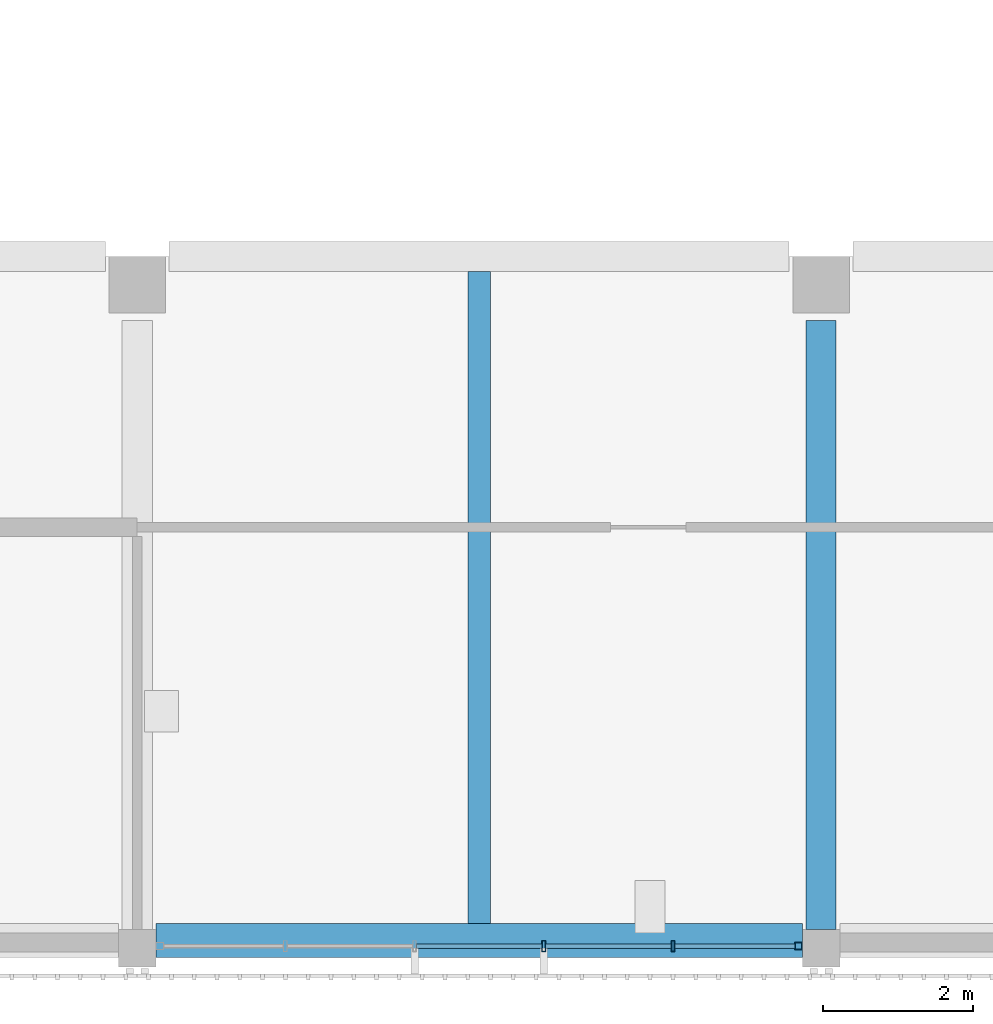
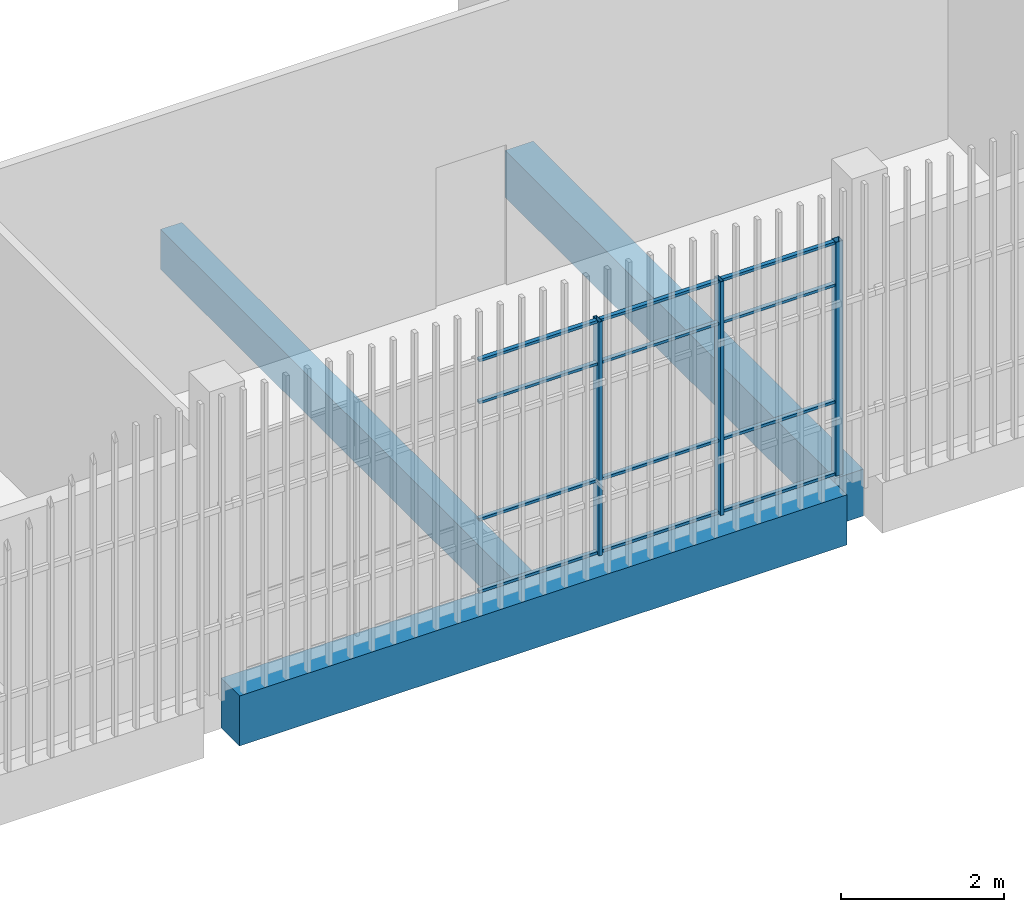
# One storey, part 26 of 124: 15 members, 3 beams, 1 element without a shape of its own.
"""IFC4 building model written with IfcOpenShell, lengths in metres."""

from ifc_helpers import new_model, si_unit, direction, frame, origin, origin_2d, place, context, subcontext, project, spatial, rectangle, hollow_rectangle, extrude, material, layer, layer_set, material_profile, profile_set, type_object, element, aggregate, save


model = new_model("IFC4")

# Units and contexts
model_context = context("Model", 3, precision=1e-05, world=origin(), true_north=direction((0.0, 1.0)))
body_context = subcontext(model_context, "Body", "Model", "MODEL_VIEW")
ifc_project = project(units=[si_unit("LENGTHUNIT", "METRE"), si_unit("AREAUNIT", "SQUARE_METRE"), si_unit("VOLUMEUNIT", "CUBIC_METRE"), si_unit("PLANEANGLEUNIT", "RADIAN"), si_unit("MASSUNIT", "GRAM", prefix="KILO")], contexts=[model_context])

# Site, building, storey
site_placement = place(None, origin())
site = spatial("IfcSite", under=ifc_project, at=site_placement, CompositionType="ELEMENT")
building_placement = place(site_placement, origin())
building = spatial("IfcBuilding", under=site, at=building_placement, Name="Shirokan Park Arena", CompositionType="ELEMENT")
storey_placement = place(building_placement, frame((0.0, 0.0, 20.02001953125)))
storey = spatial("IfcBuildingStorey", under=building, at=storey_placement, Name="L04", CompositionType="ELEMENT", Elevation=20.02001953125)

# Curtain wall, members
ifc_material_1 = material(Name="Steel and glass curtain wall", Category="steel")
ifc_layer = layer(ifc_material_1, 0.14990234375)
ifc_layer_set = layer_set([ifc_layer], Name="Steel and glass curtain wall 150 mm")
curtain_wall_type = type_object("IfcCurtainWallType", Name="Curtain wall exposed bay 150", PredefinedType="NOTDEFINED", material=ifc_layer_set)
curtain_wall_placement = place(storey_placement, origin())
curtain_wall = element("IfcCurtainWall", 1, at=curtain_wall_placement, inside=storey, type_object=curtain_wall_type, Name="Curtain wall south bay 11 L04", PredefinedType="NOTDEFINED")
ifc_material_2 = material(Name="Steel S355", Category="steel")
ifc_material_profile_1 = material_profile(ifc_material_2, hollow_rectangle(XDim=0.10009765625, YDim=0.10009765625, WallThickness=0.006103515625, at=origin_2d()), Name="RHS 100x100x6")
ifc_profile_set_1 = profile_set([ifc_material_profile_1], Name="Steel S355")
member_type_1 = type_object("IfcMemberType", Name="Mullion RHS 100x100x6", PredefinedType="MULLION", material=ifc_profile_set_1)
member_1_placement = place(storey_placement, frame((99.800048828125, -0.074951171875, 0.0), z_axis=(0.0, 0.0, 1.0), x_axis=(0.0, 1.0, 0.0)))
member_1 = element("IfcMember", 2, at=member_1_placement, type_object=member_type_1, Name="CW1 mullion 6", PredefinedType="MULLION", context=body_context, shape_type="SweptSolid", body=[
    extrude(hollow_rectangle(XDim=0.10009765625, YDim=0.10009765625, WallThickness=0.006103515625, at=origin_2d()), origin(), (0.0, 0.0, 1.0), 3.5),
])
ifc_material_profile_2 = material_profile(ifc_material_2, hollow_rectangle(XDim=0.14990234375, YDim=0.050048828125, WallThickness=0.006103515625, at=origin_2d()), Name="RHS 150x50x6")
ifc_profile_set_2 = profile_set([ifc_material_profile_2], Name="Steel S355")
member_type_2 = type_object("IfcMemberType", Name="Mullion RHS 150x50x6", PredefinedType="MULLION", material=ifc_profile_set_2)
member_2_placement = place(storey_placement, frame((96.409912109375, -0.074951171875, 0.0), z_axis=(0.0, 0.0, 1.0), x_axis=(0.0, 1.0, 0.0)))
member_2 = element("IfcMember", 3, at=member_2_placement, type_object=member_type_2, Name="CW1 mullion 4", PredefinedType="MULLION", context=body_context, shape_type="SweptSolid", body=[
    extrude(hollow_rectangle(XDim=0.14990234375, YDim=0.050048828125, WallThickness=0.006103515625, at=origin_2d()), origin(), (0.0, 0.0, 1.0), 3.5),
])
member_3_placement = place(storey_placement, frame((98.1298828125, -0.074951171875, 0.0), z_axis=(0.0, 0.0, 1.0), x_axis=(0.0, 1.0, 0.0)))
member_3 = element("IfcMember", 4, at=member_3_placement, type_object=member_type_2, Name="CW1 mullion 5", PredefinedType="MULLION", context=body_context, shape_type="SweptSolid", body=[
    extrude(hollow_rectangle(XDim=0.14990234375, YDim=0.050048828125, WallThickness=0.006103515625, at=origin_2d()), origin(), (0.0, 0.0, 1.0), 3.5),
])

# Beams
ifc_material_3 = material(Name="Concrete C35", Category="concrete")
ifc_material_profile_3 = material_profile(ifc_material_3, rectangle(XDim=0.39990234375, YDim=0.699951171875, at=origin_2d()), Name="400x700")
ifc_profile_set_3 = profile_set([ifc_material_profile_3], Name="Concrete C35")
beam_type_1 = type_object("IfcBeamType", Name="RC girder 400x700", PredefinedType="BEAM", material=ifc_profile_set_3)
beam_1_placement = place(storey_placement, frame((100.10009765625, 0.150146484375, -0.60009765625), z_axis=(0.0, 1.0, 0.0), x_axis=(-1.0, 0.0, 0.0)))
element("IfcBeam", 5, at=beam_1_placement, inside=storey, type_object=beam_type_1, Name="Girder 12A-12B L04", PredefinedType="BEAM", context=body_context, shape_type="SweptSolid", body=[
    extrude(rectangle(XDim=0.39990234375, YDim=0.699951171875, at=origin_2d()), origin(), (0.0, 0.0, 1.0), 8.099853515625),
])
ifc_material_profile_4 = material_profile(ifc_material_3, rectangle(XDim=0.449951171875, YDim=0.75, at=origin_2d()), Name="450x750")
ifc_profile_set_4 = profile_set([ifc_material_profile_4], Name="Concrete C35")
beam_type_2 = type_object("IfcBeamType", Name="RC girder 450x750", PredefinedType="BEAM", material=ifc_profile_set_4)
beam_2_placement = place(storey_placement, frame((91.25, 0.0, -0.625), z_axis=(1.0, 0.0, 0.0), x_axis=(0.0, 1.0, 0.0)))
element("IfcBeam", 6, at=beam_2_placement, inside=storey, type_object=beam_type_2, Name="Girder 11A-12A L04", PredefinedType="BEAM", context=body_context, shape_type="SweptSolid", body=[
    extrude(rectangle(XDim=0.449951171875, YDim=0.75, at=origin_2d()), origin(), (0.0, 0.0, 1.0), 8.599853515625),
])
ifc_material_profile_5 = material_profile(ifc_material_3, rectangle(XDim=0.300048828125, YDim=0.60009765625, at=origin_2d()), Name="300x600")
ifc_profile_set_5 = profile_set([ifc_material_profile_5], Name="Concrete C35")
beam_type_3 = type_object("IfcBeamType", Name="RC joist 300x600", PredefinedType="JOIST", material=ifc_profile_set_5)
beam_3_placement = place(storey_placement, frame((95.550048828125, 0.22509765625, -0.550048828125), z_axis=(0.0, 1.0, 0.0), x_axis=(-1.0, 0.0, 0.0)))
element("IfcBeam", 7, at=beam_3_placement, inside=storey, type_object=beam_type_3, Name="Joist 11A L04", PredefinedType="JOIST", context=body_context, shape_type="SweptSolid", body=[
    extrude(rectangle(XDim=0.300048828125, YDim=0.60009765625, at=origin_2d()), origin(), (0.0, 0.0, 1.0), 8.6748046875),
])

# Member
ifc_material_profile_6 = material_profile(ifc_material_2, hollow_rectangle(XDim=0.06005859375, YDim=0.0400390625, WallThickness=0.00390625, at=origin_2d()), Name="RHS 60x40x4")
ifc_profile_set_6 = profile_set([ifc_material_profile_6], Name="Steel S355")
member_type_3 = type_object("IfcMemberType", Name="Transom RHS 60x40x4", PredefinedType="MULLION", material=ifc_profile_set_6)
member_4_placement = place(storey_placement, frame((94.715087890625, -0.074951171875, 0.02001953125), z_axis=(1.0, 0.0, 0.0), x_axis=(0.0, 1.0, 0.0)))
member_4 = element("IfcMember", 8, at=member_4_placement, type_object=member_type_3, Name="CW1 transom 3.1", PredefinedType="MULLION", context=body_context, shape_type="SweptSolid", body=[
    extrude(hollow_rectangle(XDim=0.06005859375, YDim=0.0400390625, WallThickness=0.00390625, at=origin_2d()), origin(), (0.0, 0.0, 1.0), 1.669921875),
])

member_5_placement = place(storey_placement, frame((94.715087890625, -0.074951171875, 1.10009765625), z_axis=(1.0, 0.0, 0.0), x_axis=(0.0, 1.0, 0.0)))
member_5 = element("IfcMember", 9, at=member_5_placement, type_object=member_type_3, Name="CW1 transom 3.2", PredefinedType="MULLION", context=body_context, shape_type="SweptSolid", body=[
    extrude(hollow_rectangle(XDim=0.06005859375, YDim=0.0400390625, WallThickness=0.00390625, at=origin_2d()), origin(), (0.0, 0.0, 1.0), 1.669921875),
])

member_6_placement = place(storey_placement, frame((94.715087890625, -0.074951171875, 2.85009765625), z_axis=(1.0, 0.0, 0.0), x_axis=(0.0, 1.0, 0.0)))
member_6 = element("IfcMember", 10, at=member_6_placement, type_object=member_type_3, Name="CW1 transom 3.3", PredefinedType="MULLION", context=body_context, shape_type="SweptSolid", body=[
    extrude(hollow_rectangle(XDim=0.06005859375, YDim=0.0400390625, WallThickness=0.00390625, at=origin_2d()), origin(), (0.0, 0.0, 1.0), 1.669921875),
])

member_7_placement = place(storey_placement, frame((94.715087890625, -0.074951171875, 3.47998046875), z_axis=(1.0, 0.0, 0.0), x_axis=(0.0, 1.0, 0.0)))
member_7 = element("IfcMember", 11, at=member_7_placement, type_object=member_type_3, Name="CW1 transom 3.4", PredefinedType="MULLION", context=body_context, shape_type="SweptSolid", body=[
    extrude(hollow_rectangle(XDim=0.06005859375, YDim=0.0400390625, WallThickness=0.00390625, at=origin_2d()), origin(), (0.0, 0.0, 1.0), 1.669921875),
])

member_8_placement = place(storey_placement, frame((96.43505859375, -0.074951171875, 0.02001953125), z_axis=(1.0, 0.0, 0.0), x_axis=(0.0, 1.0, 0.0)))
member_8 = element("IfcMember", 12, at=member_8_placement, type_object=member_type_3, Name="CW1 transom 4.1", PredefinedType="MULLION", context=body_context, shape_type="SweptSolid", body=[
    extrude(hollow_rectangle(XDim=0.06005859375, YDim=0.0400390625, WallThickness=0.00390625, at=origin_2d()), origin(), (0.0, 0.0, 1.0), 1.669921875),
])

member_9_placement = place(storey_placement, frame((96.43505859375, -0.074951171875, 1.10009765625), z_axis=(1.0, 0.0, 0.0), x_axis=(0.0, 1.0, 0.0)))
member_9 = element("IfcMember", 13, at=member_9_placement, type_object=member_type_3, Name="CW1 transom 4.2", PredefinedType="MULLION", context=body_context, shape_type="SweptSolid", body=[
    extrude(hollow_rectangle(XDim=0.06005859375, YDim=0.0400390625, WallThickness=0.00390625, at=origin_2d()), origin(), (0.0, 0.0, 1.0), 1.669921875),
])

member_10_placement = place(storey_placement, frame((96.43505859375, -0.074951171875, 2.85009765625), z_axis=(1.0, 0.0, 0.0), x_axis=(0.0, 1.0, 0.0)))
member_10 = element("IfcMember", 14, at=member_10_placement, type_object=member_type_3, Name="CW1 transom 4.3", PredefinedType="MULLION", context=body_context, shape_type="SweptSolid", body=[
    extrude(hollow_rectangle(XDim=0.06005859375, YDim=0.0400390625, WallThickness=0.00390625, at=origin_2d()), origin(), (0.0, 0.0, 1.0), 1.669921875),
])

member_11_placement = place(storey_placement, frame((96.43505859375, -0.074951171875, 3.47998046875), z_axis=(1.0, 0.0, 0.0), x_axis=(0.0, 1.0, 0.0)))
member_11 = element("IfcMember", 15, at=member_11_placement, type_object=member_type_3, Name="CW1 transom 4.4", PredefinedType="MULLION", context=body_context, shape_type="SweptSolid", body=[
    extrude(hollow_rectangle(XDim=0.06005859375, YDim=0.0400390625, WallThickness=0.00390625, at=origin_2d()), origin(), (0.0, 0.0, 1.0), 1.669921875),
])

member_12_placement = place(storey_placement, frame((98.155029296875, -0.074951171875, 0.02001953125), z_axis=(1.0, 0.0, 0.0), x_axis=(0.0, 1.0, 0.0)))
member_12 = element("IfcMember", 16, at=member_12_placement, type_object=member_type_3, Name="CW1 transom 5.1", PredefinedType="MULLION", context=body_context, shape_type="SweptSolid", body=[
    extrude(hollow_rectangle(XDim=0.06005859375, YDim=0.0400390625, WallThickness=0.00390625, at=origin_2d()), origin(), (0.0, 0.0, 1.0), 1.594970703125),
])

member_13_placement = place(storey_placement, frame((98.155029296875, -0.074951171875, 1.10009765625), z_axis=(1.0, 0.0, 0.0), x_axis=(0.0, 1.0, 0.0)))
member_13 = element("IfcMember", 17, at=member_13_placement, type_object=member_type_3, Name="CW1 transom 5.2", PredefinedType="MULLION", context=body_context, shape_type="SweptSolid", body=[
    extrude(hollow_rectangle(XDim=0.06005859375, YDim=0.0400390625, WallThickness=0.00390625, at=origin_2d()), origin(), (0.0, 0.0, 1.0), 1.594970703125),
])

member_14_placement = place(storey_placement, frame((98.155029296875, -0.074951171875, 2.85009765625), z_axis=(1.0, 0.0, 0.0), x_axis=(0.0, 1.0, 0.0)))
member_14 = element("IfcMember", 18, at=member_14_placement, type_object=member_type_3, Name="CW1 transom 5.3", PredefinedType="MULLION", context=body_context, shape_type="SweptSolid", body=[
    extrude(hollow_rectangle(XDim=0.06005859375, YDim=0.0400390625, WallThickness=0.00390625, at=origin_2d()), origin(), (0.0, 0.0, 1.0), 1.594970703125),
])

member_15_placement = place(storey_placement, frame((98.155029296875, -0.074951171875, 3.47998046875), z_axis=(1.0, 0.0, 0.0), x_axis=(0.0, 1.0, 0.0)))
member_15 = element("IfcMember", 19, at=member_15_placement, type_object=member_type_3, Name="CW1 transom 5.4", PredefinedType="MULLION", context=body_context, shape_type="SweptSolid", body=[
    extrude(hollow_rectangle(XDim=0.06005859375, YDim=0.0400390625, WallThickness=0.00390625, at=origin_2d()), origin(), (0.0, 0.0, 1.0), 1.594970703125),
])

aggregate(curtain_wall, [member_2, member_3, member_1, member_4, member_5, member_6, member_7, member_8, member_9, member_10, member_11, member_12, member_13, member_14, member_15])

save(model, "model.ifc")
